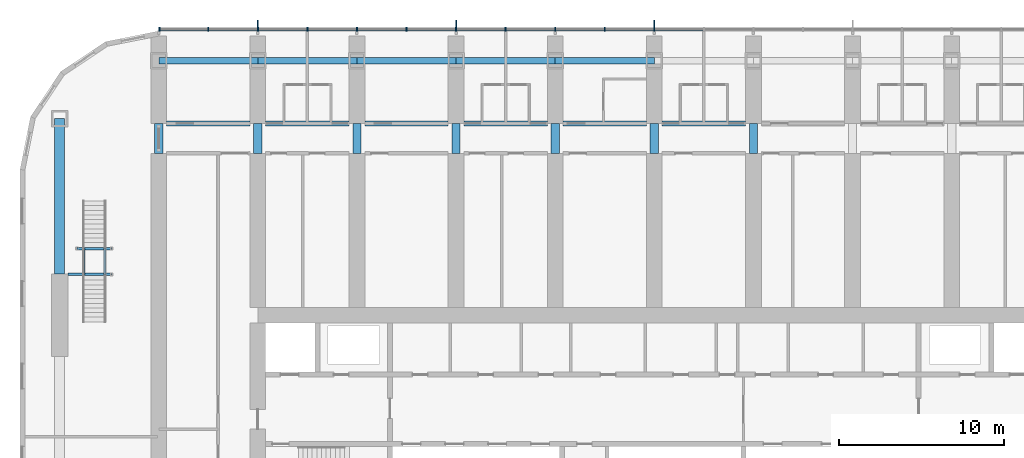
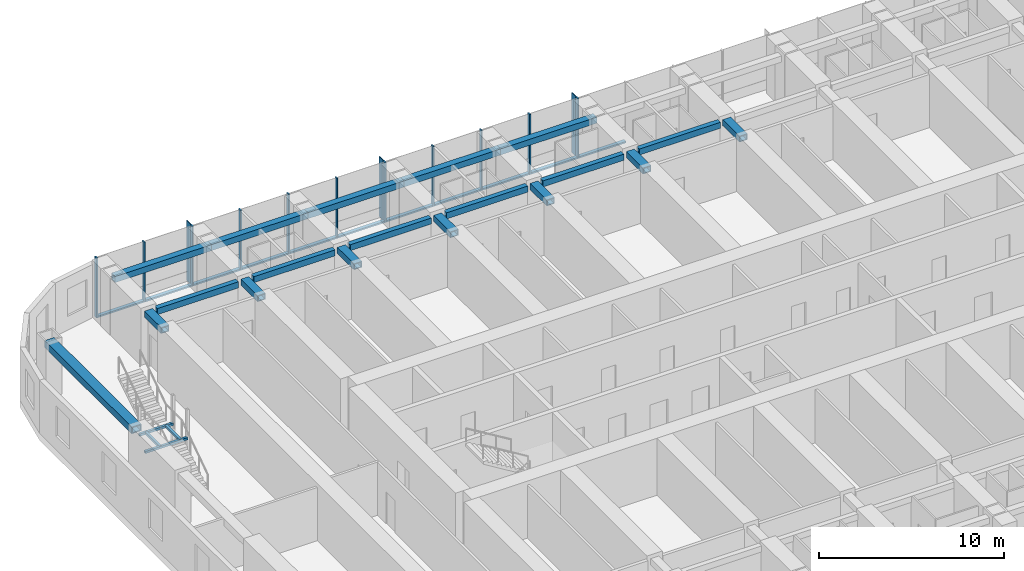
# One storey, part 6 of 25: 25 members, 23 beams, 1 element without a shape of its own.
"""IFC4 building model written with IfcOpenShell, lengths in metres."""

from ifc_helpers import new_model, si_unit, direction, frame, origin, origin_2d, place, context, subcontext, project, spatial, rectangle, hollow_rectangle, extrude, material, material_profile, profile_set, type_object, element, aggregate, save


model = new_model("IFC4")

# Units and contexts
model_context = context("Model", 3, precision=1e-05, world=origin(), true_north=direction((0.0, 1.0)))
body_context = subcontext(model_context, "Body", "Model", "MODEL_VIEW")
ifc_project = project(units=[si_unit("LENGTHUNIT", "METRE"), si_unit("AREAUNIT", "SQUARE_METRE"), si_unit("VOLUMEUNIT", "CUBIC_METRE"), si_unit("PLANEANGLEUNIT", "RADIAN"), si_unit("MASSUNIT", "GRAM", prefix="KILO")], contexts=[model_context])

# Site, building, storey
site_placement = place(None, origin())
site = spatial("IfcSite", under=ifc_project, at=site_placement, CompositionType="ELEMENT")
building_placement = place(site_placement, origin())
building = spatial("IfcBuilding", under=site, at=building_placement, Name="Orbita Commons", CompositionType="ELEMENT")
storey_placement = place(building_placement, frame((0.0, 0.0, 99.39990234375)))
storey = spatial("IfcBuildingStorey", under=building, at=storey_placement, Name="L24", CompositionType="ELEMENT", Elevation=99.39990234375)

# Curtain wall, members
ifc_material_1 = material(Name="Anodised aluminium frame, pale silver", Category="aluminium")
curtain_wall_type = type_object("IfcCurtainWallType", Name="Unitised curtain wall CW-T, vision and spandrel", PredefinedType="NOTDEFINED", material=ifc_material_1)
curtain_wall_placement = place(storey_placement, origin())
curtain_wall = element("IfcCurtainWall", 1, at=curtain_wall_placement, inside=storey, type_object=curtain_wall_type, Name="Curtain wall north L24", PredefinedType="NOTDEFINED")
ifc_material_2 = material(Name="Anodised aluminium, pale silver", Category="aluminium")
ifc_material_profile_1 = material_profile(ifc_material_2, rectangle(XDim=0.080078125, YDim=0.219970703125, at=origin_2d()), Name="AL 80x220")
ifc_profile_set_1 = profile_set([ifc_material_profile_1], Name="Anodised aluminium, pale silver")
member_type_1 = type_object("IfcMemberType", Name="Curtain wall mullion 80x220", PredefinedType="MULLION", material=ifc_profile_set_1)
member_1_placement = place(storey_placement, frame((42.0, 55.510009765625, -0.449951171875), z_axis=(0.0, 0.0, 1.0), x_axis=(-1.0, 0.0, 0.0)))
member_1 = element("IfcMember", 2, at=member_1_placement, type_object=member_type_1, Name="Mullion 9 CW-L24-N", PredefinedType="MULLION", context=body_context, shape_type="SweptSolid", body=[
    extrude(rectangle(XDim=0.080078125, YDim=0.219970703125, at=origin_2d()), origin(), (0.0, 0.0, 1.0), 3.949951171875),
])
member_2_placement = place(storey_placement, frame((39.0, 55.510009765625, -0.449951171875), z_axis=(0.0, 0.0, 1.0), x_axis=(-1.0, 0.0, 0.0)))
member_2 = element("IfcMember", 3, at=member_2_placement, type_object=member_type_1, Name="Mullion 10 CW-L24-N", PredefinedType="MULLION", context=body_context, shape_type="SweptSolid", body=[
    extrude(rectangle(XDim=0.080078125, YDim=0.219970703125, at=origin_2d()), origin(), (0.0, 0.0, 1.0), 3.949951171875),
])
member_3_placement = place(storey_placement, frame((36.0, 55.510009765625, -0.449951171875), z_axis=(0.0, 0.0, 1.0), x_axis=(-1.0, 0.0, 0.0)))
member_3 = element("IfcMember", 4, at=member_3_placement, type_object=member_type_1, Name="Mullion 11 CW-L24-N", PredefinedType="MULLION", context=body_context, shape_type="SweptSolid", body=[
    extrude(rectangle(XDim=0.080078125, YDim=0.219970703125, at=origin_2d()), origin(), (0.0, 0.0, 1.0), 3.949951171875),
])
member_4_placement = place(storey_placement, frame((33.0, 55.510009765625, -0.449951171875), z_axis=(0.0, 0.0, 1.0), x_axis=(-1.0, 0.0, 0.0)))
member_4 = element("IfcMember", 5, at=member_4_placement, type_object=member_type_1, Name="Mullion 12 CW-L24-N", PredefinedType="MULLION", context=body_context, shape_type="SweptSolid", body=[
    extrude(rectangle(XDim=0.080078125, YDim=0.219970703125, at=origin_2d()), origin(), (0.0, 0.0, 1.0), 3.949951171875),
])
member_5_placement = place(storey_placement, frame((30.0, 55.510009765625, -0.449951171875), z_axis=(0.0, 0.0, 1.0), x_axis=(-1.0, 0.0, 0.0)))
member_5 = element("IfcMember", 6, at=member_5_placement, type_object=member_type_1, Name="Mullion 13 CW-L24-N", PredefinedType="MULLION", context=body_context, shape_type="SweptSolid", body=[
    extrude(rectangle(XDim=0.080078125, YDim=0.219970703125, at=origin_2d()), origin(), (0.0, 0.0, 1.0), 3.949951171875),
])
member_6_placement = place(storey_placement, frame((27.0, 55.510009765625, -0.449951171875), z_axis=(0.0, 0.0, 1.0), x_axis=(-1.0, 0.0, 0.0)))
member_6 = element("IfcMember", 7, at=member_6_placement, type_object=member_type_1, Name="Mullion 14 CW-L24-N", PredefinedType="MULLION", context=body_context, shape_type="SweptSolid", body=[
    extrude(rectangle(XDim=0.080078125, YDim=0.219970703125, at=origin_2d()), origin(), (0.0, 0.0, 1.0), 3.949951171875),
])
member_7_placement = place(storey_placement, frame((24.0, 55.510009765625, -0.449951171875), z_axis=(0.0, 0.0, 1.0), x_axis=(-1.0, 0.0, 0.0)))
member_7 = element("IfcMember", 8, at=member_7_placement, type_object=member_type_1, Name="Mullion 15 CW-L24-N", PredefinedType="MULLION", context=body_context, shape_type="SweptSolid", body=[
    extrude(rectangle(XDim=0.080078125, YDim=0.219970703125, at=origin_2d()), origin(), (0.0, 0.0, 1.0), 3.949951171875),
])
member_8_placement = place(storey_placement, frame((21.0, 55.510009765625, -0.449951171875), z_axis=(0.0, 0.0, 1.0), x_axis=(-1.0, 0.0, 0.0)))
member_8 = element("IfcMember", 9, at=member_8_placement, type_object=member_type_1, Name="Mullion 16 CW-L24-N", PredefinedType="MULLION", context=body_context, shape_type="SweptSolid", body=[
    extrude(rectangle(XDim=0.080078125, YDim=0.219970703125, at=origin_2d()), origin(), (0.0, 0.0, 1.0), 3.949951171875),
])
member_9_placement = place(storey_placement, frame((18.0, 55.510009765625, -0.449951171875), z_axis=(0.0, 0.0, 1.0), x_axis=(-1.0, 0.0, 0.0)))
member_9 = element("IfcMember", 10, at=member_9_placement, type_object=member_type_1, Name="Mullion 17 CW-L24-N", PredefinedType="MULLION", context=body_context, shape_type="SweptSolid", body=[
    extrude(rectangle(XDim=0.080078125, YDim=0.219970703125, at=origin_2d()), origin(), (0.0, 0.0, 1.0), 3.949951171875),
])
member_10_placement = place(storey_placement, frame((15.0, 55.510009765625, -0.449951171875), z_axis=(0.0, 0.0, 1.0), x_axis=(-1.0, 0.0, 0.0)))
member_10 = element("IfcMember", 11, at=member_10_placement, type_object=member_type_1, Name="Mullion 18 CW-L24-N", PredefinedType="MULLION", context=body_context, shape_type="SweptSolid", body=[
    extrude(rectangle(XDim=0.080078125, YDim=0.219970703125, at=origin_2d()), origin(), (0.0, 0.0, 1.0), 3.949951171875),
])
member_11_placement = place(storey_placement, frame((12.0400390625, 55.510009765625, -0.449951171875), z_axis=(0.0, 0.0, 1.0), x_axis=(-1.0, 0.0, 0.0)))
member_11 = element("IfcMember", 12, at=member_11_placement, type_object=member_type_1, Name="Mullion 19 CW-L24-N", PredefinedType="MULLION", context=body_context, shape_type="SweptSolid", body=[
    extrude(rectangle(XDim=0.080078125, YDim=0.219970703125, at=origin_2d()), origin(), (0.0, 0.0, 1.0), 3.949951171875),
])
ifc_material_3 = material(Name="Anodised aluminium, pale silver", Category="aluminium")
ifc_material_profile_2 = material_profile(ifc_material_3, rectangle(XDim=0.219970703125, YDim=0.10009765625, at=origin_2d()), Name="AL 220x100")
ifc_profile_set_2 = profile_set([ifc_material_profile_2], Name="Anodised aluminium, pale silver")
member_type_2 = type_object("IfcMemberType", Name="Curtain wall stack transom 220x100", PredefinedType="USERDEFINED", material=ifc_profile_set_2)
member_12_placement = place(storey_placement, frame((44.9599609375, 55.510009765625, -0.39990234375), z_axis=(-1.0, 0.0, 0.0), x_axis=(0.0, -1.0, 0.0)))
member_12 = element("IfcMember", 13, at=member_12_placement, type_object=member_type_2, Name="Transom 8.1 CW-L24-N", ObjectType="TRANSOM", PredefinedType="USERDEFINED", context=body_context, shape_type="SweptSolid", body=[
    extrude(rectangle(XDim=0.219970703125, YDim=0.10009765625, at=origin_2d()), origin(), (0.0, 0.0, 1.0), 2.919921875),
])
member_13_placement = place(storey_placement, frame((41.9599609375, 55.510009765625, -0.39990234375), z_axis=(-1.0, 0.0, 0.0), x_axis=(0.0, -1.0, 0.0)))
member_13 = element("IfcMember", 14, at=member_13_placement, type_object=member_type_2, Name="Transom 9.1 CW-L24-N", ObjectType="TRANSOM", PredefinedType="USERDEFINED", context=body_context, shape_type="SweptSolid", body=[
    extrude(rectangle(XDim=0.219970703125, YDim=0.10009765625, at=origin_2d()), origin(), (0.0, 0.0, 1.0), 2.919921875),
])
member_14_placement = place(storey_placement, frame((38.9599609375, 55.510009765625, -0.39990234375), z_axis=(-1.0, 0.0, 0.0), x_axis=(0.0, -1.0, 0.0)))
member_14 = element("IfcMember", 15, at=member_14_placement, type_object=member_type_2, Name="Transom 10.1 CW-L24-N", ObjectType="TRANSOM", PredefinedType="USERDEFINED", context=body_context, shape_type="SweptSolid", body=[
    extrude(rectangle(XDim=0.219970703125, YDim=0.10009765625, at=origin_2d()), origin(), (0.0, 0.0, 1.0), 2.919921875),
])
member_15_placement = place(storey_placement, frame((35.9599609375, 55.510009765625, -0.39990234375), z_axis=(-1.0, 0.0, 0.0), x_axis=(0.0, -1.0, 0.0)))
member_15 = element("IfcMember", 16, at=member_15_placement, type_object=member_type_2, Name="Transom 11.1 CW-L24-N", ObjectType="TRANSOM", PredefinedType="USERDEFINED", context=body_context, shape_type="SweptSolid", body=[
    extrude(rectangle(XDim=0.219970703125, YDim=0.10009765625, at=origin_2d()), origin(), (0.0, 0.0, 1.0), 2.919921875),
])
member_16_placement = place(storey_placement, frame((32.9599609375, 55.510009765625, -0.39990234375), z_axis=(-1.0, 0.0, 0.0), x_axis=(0.0, -1.0, 0.0)))
member_16 = element("IfcMember", 17, at=member_16_placement, type_object=member_type_2, Name="Transom 12.1 CW-L24-N", ObjectType="TRANSOM", PredefinedType="USERDEFINED", context=body_context, shape_type="SweptSolid", body=[
    extrude(rectangle(XDim=0.219970703125, YDim=0.10009765625, at=origin_2d()), origin(), (0.0, 0.0, 1.0), 2.919921875),
])
member_17_placement = place(storey_placement, frame((29.9599609375, 55.510009765625, -0.39990234375), z_axis=(-1.0, 0.0, 0.0), x_axis=(0.0, -1.0, 0.0)))
member_17 = element("IfcMember", 18, at=member_17_placement, type_object=member_type_2, Name="Transom 13.1 CW-L24-N", ObjectType="TRANSOM", PredefinedType="USERDEFINED", context=body_context, shape_type="SweptSolid", body=[
    extrude(rectangle(XDim=0.219970703125, YDim=0.10009765625, at=origin_2d()), origin(), (0.0, 0.0, 1.0), 2.919921875),
])
member_18_placement = place(storey_placement, frame((26.9599609375, 55.510009765625, -0.39990234375), z_axis=(-1.0, 0.0, 0.0), x_axis=(0.0, -1.0, 0.0)))
member_18 = element("IfcMember", 19, at=member_18_placement, type_object=member_type_2, Name="Transom 14.1 CW-L24-N", ObjectType="TRANSOM", PredefinedType="USERDEFINED", context=body_context, shape_type="SweptSolid", body=[
    extrude(rectangle(XDim=0.219970703125, YDim=0.10009765625, at=origin_2d()), origin(), (0.0, 0.0, 1.0), 2.919921875),
])
member_19_placement = place(storey_placement, frame((23.9599609375, 55.510009765625, -0.39990234375), z_axis=(-1.0, 0.0, 0.0), x_axis=(0.0, -1.0, 0.0)))
member_19 = element("IfcMember", 20, at=member_19_placement, type_object=member_type_2, Name="Transom 15.1 CW-L24-N", ObjectType="TRANSOM", PredefinedType="USERDEFINED", context=body_context, shape_type="SweptSolid", body=[
    extrude(rectangle(XDim=0.219970703125, YDim=0.10009765625, at=origin_2d()), origin(), (0.0, 0.0, 1.0), 2.919921875),
])
member_20_placement = place(storey_placement, frame((20.9599609375, 55.510009765625, -0.39990234375), z_axis=(-1.0, 0.0, 0.0), x_axis=(0.0, -1.0, 0.0)))
member_20 = element("IfcMember", 21, at=member_20_placement, type_object=member_type_2, Name="Transom 16.1 CW-L24-N", ObjectType="TRANSOM", PredefinedType="USERDEFINED", context=body_context, shape_type="SweptSolid", body=[
    extrude(rectangle(XDim=0.219970703125, YDim=0.10009765625, at=origin_2d()), origin(), (0.0, 0.0, 1.0), 2.919921875),
])
member_21_placement = place(storey_placement, frame((17.9599609375, 55.510009765625, -0.39990234375), z_axis=(-1.0, 0.0, 0.0), x_axis=(0.0, -1.0, 0.0)))
member_21 = element("IfcMember", 22, at=member_21_placement, type_object=member_type_2, Name="Transom 17.1 CW-L24-N", ObjectType="TRANSOM", PredefinedType="USERDEFINED", context=body_context, shape_type="SweptSolid", body=[
    extrude(rectangle(XDim=0.219970703125, YDim=0.10009765625, at=origin_2d()), origin(), (0.0, 0.0, 1.0), 2.919921875),
])
member_22_placement = place(storey_placement, frame((14.9599609375, 55.510009765625, -0.39990234375), z_axis=(-1.0, 0.0, 0.0), x_axis=(0.0, -1.0, 0.0)))
member_22 = element("IfcMember", 23, at=member_22_placement, type_object=member_type_2, Name="Transom 18.1 CW-L24-N", ObjectType="TRANSOM", PredefinedType="USERDEFINED", context=body_context, shape_type="SweptSolid", body=[
    extrude(rectangle(XDim=0.219970703125, YDim=0.10009765625, at=origin_2d()), origin(), (0.0, 0.0, 1.0), 2.8798828125),
])

# Beams
ifc_material_4 = material(Name="Steel ASTM A992", Category="steel")
ifc_material_profile_3 = material_profile(ifc_material_4, hollow_rectangle(XDim=0.14990234375, YDim=0.14990234375, WallThickness=0.008056640625, at=origin_2d()), Name="SHS 150x150x8")
ifc_profile_set_3 = profile_set([ifc_material_profile_3], Name="Steel ASTM A992")
beam_type_1 = type_object("IfcBeamType", Name="Landing frame beam SHS 150x150x8", PredefinedType="BEAM", material=ifc_profile_set_3)
beam_1_placement = place(storey_placement, frame((6.5, 40.675048828125, 1.60009765625), z_axis=(1.0, 0.0, 0.0), x_axis=(0.0, 1.0, 0.0)))
element("IfcBeam", 24, at=beam_1_placement, inside=storey, type_object=beam_type_1, Name="Neighbourhood stair L24 to L25 landing frame beam 1", PredefinedType="BEAM", context=body_context, shape_type="SweptSolid", body=[
    extrude(hollow_rectangle(XDim=0.14990234375, YDim=0.14990234375, WallThickness=0.008056640625, at=origin_2d()), origin(), (0.0, 0.0, 1.0), 2.64990234375),
])
beam_2_placement = place(storey_placement, frame((7.050048828125, 42.235107421875, 1.60009765625), z_axis=(1.0, 0.0, 0.0), x_axis=(0.0, 1.0, 0.0)))
element("IfcBeam", 25, at=beam_2_placement, inside=storey, type_object=beam_type_1, Name="Neighbourhood stair L24 to L25 landing frame beam 2", PredefinedType="BEAM", context=body_context, shape_type="SweptSolid", body=[
    extrude(hollow_rectangle(XDim=0.14990234375, YDim=0.14990234375, WallThickness=0.008056640625, at=origin_2d()), origin(), (0.0, 0.0, 1.0), 2.099853515625),
])
for number, where, z_axis, x_axis, name in (
    (26, (7.47509765625, 40.675048828125, 1.60009765625), (0.0, 1.0, 0.0), (-1.0, 0.0, 0.0), "Neighbourhood stair L24 to L25 landing frame beam 3"),
    (27, (8.72509765625, 40.675048828125, 1.60009765625), (0.0, 1.0, 0.0), (-1.0, 0.0, 0.0), "Neighbourhood stair L24 to L25 landing frame beam 4"),
):
    element("IfcBeam", number, at=place(storey_placement, frame(where, z_axis=z_axis, x_axis=x_axis)), inside=storey, type_object=beam_type_1, Name=name, PredefinedType="BEAM", context=body_context, shape_type="SweptSolid", body=[
        extrude(hollow_rectangle(XDim=0.14990234375, YDim=0.14990234375, WallThickness=0.008056640625, at=origin_2d()), origin(), (0.0, 0.0, 1.0), 1.56005859375),
    ])
ifc_material_5 = material(Name="Steel ASTM A572 Gr 50 welded plate", Category="steel")
ifc_material_profile_4 = material_profile(ifc_material_5, hollow_rectangle(XDim=0.300048828125, YDim=0.39990234375, WallThickness=0.0400390625, at=origin_2d()), Name="BOX 400x300x40")
ifc_profile_set_4 = profile_set([ifc_material_profile_4], Name="Steel ASTM A572 Gr 50 welded plate")
beam_type_2 = type_object("IfcBeamType", Name="Steel corridor link BOX 400x300x40", PredefinedType="BEAM", material=ifc_profile_set_4)
for number, where, z_axis, x_axis, name in (
    (28, (12.47509765625, 49.800048828125, 3.300048828125), (1.0, 0.0, 0.0), (0.0, 1.0, 0.0), "Corridor beam NB 3-4 L24"),
    (29, (18.47509765625, 49.800048828125, 3.300048828125), (1.0, 0.0, 0.0), (0.0, 1.0, 0.0), "Corridor beam NB 4-5 L24"),
    (30, (24.47509765625, 49.800048828125, 3.300048828125), (1.0, 0.0, 0.0), (0.0, 1.0, 0.0), "Corridor beam NB 5-6 L24"),
    (31, (30.47509765625, 49.800048828125, 3.300048828125), (1.0, 0.0, 0.0), (0.0, 1.0, 0.0), "Corridor beam NB 6-7 L24"),
    (32, (36.47509765625, 49.800048828125, 3.300048828125), (1.0, 0.0, 0.0), (0.0, 1.0, 0.0), "Corridor beam NB 7-8 L24"),
    (33, (42.47509765625, 49.800048828125, 3.300048828125), (1.0, 0.0, 0.0), (0.0, 1.0, 0.0), "Corridor beam NB 8-9 L24"),
):
    element("IfcBeam", number, at=place(storey_placement, frame(where, z_axis=z_axis, x_axis=x_axis)), inside=storey, type_object=beam_type_2, Name=name, PredefinedType="BEAM", context=body_context, shape_type="SweptSolid", body=[
        extrude(hollow_rectangle(XDim=0.300048828125, YDim=0.39990234375, WallThickness=0.0400390625, at=origin_2d()), origin(), (0.0, 0.0, 1.0), 5.0498046875),
    ])
ifc_material_6 = material(Name="Steel ASTM A572 Gr 50 welded plate", Category="steel")
ifc_material_profile_5 = material_profile(ifc_material_6, hollow_rectangle(XDim=0.5, YDim=0.39990234375, WallThickness=0.050048828125, at=origin_2d()), Name="BOX 400x500x50")
ifc_profile_set_5 = profile_set([ifc_material_profile_5], Name="Steel ASTM A572 Gr 50 welded plate")
beam_type_3 = type_object("IfcBeamType", Name="Steel coupling link BOX 400x500x50", PredefinedType="LINTEL", material=ifc_profile_set_5)
for number, where, z_axis, x_axis, name in (
    (34, (12.0, 48.0, 3.300048828125), (0.0, 1.0, 0.0), (-1.0, 0.0, 0.0), "Coupling beam 3 north L24"),
    (35, (18.0, 48.0, 3.300048828125), (0.0, 1.0, 0.0), (-1.0, 0.0, 0.0), "Coupling beam 4 north L24"),
    (36, (24.0, 48.0, 3.300048828125), (0.0, 1.0, 0.0), (-1.0, 0.0, 0.0), "Coupling beam 5 north L24"),
    (37, (30.0, 48.0, 3.300048828125), (0.0, 1.0, 0.0), (-1.0, 0.0, 0.0), "Coupling beam 6 north L24"),
    (38, (36.0, 48.0, 3.300048828125), (0.0, 1.0, 0.0), (-1.0, 0.0, 0.0), "Coupling beam 7 north L24"),
    (39, (42.0, 48.0, 3.300048828125), (0.0, 1.0, 0.0), (-1.0, 0.0, 0.0), "Coupling beam 8 north L24"),
    (40, (48.0, 48.0, 3.300048828125), (0.0, 1.0, 0.0), (-1.0, 0.0, 0.0), "Coupling beam 9 north L24"),
):
    element("IfcBeam", number, at=place(storey_placement, frame(where, z_axis=z_axis, x_axis=x_axis)), inside=storey, type_object=beam_type_3, Name=name, PredefinedType="LINTEL", context=body_context, shape_type="SweptSolid", body=[
        extrude(hollow_rectangle(XDim=0.5, YDim=0.39990234375, WallThickness=0.050048828125, at=origin_2d()), origin(), (0.0, 0.0, 1.0), 1.800048828125),
    ])
ifc_material_7 = material(Name="Steel ASTM A572 Gr 50 welded plate", Category="steel")
ifc_material_profile_6 = material_profile(ifc_material_7, hollow_rectangle(XDim=0.60009765625, YDim=0.449951171875, WallThickness=0.06005859375, at=origin_2d()), Name="BOX 450x600x60")
ifc_profile_set_6 = profile_set([ifc_material_profile_6], Name="Steel ASTM A572 Gr 50 welded plate")
beam_type_4 = type_object("IfcBeamType", Name="Steel end frame link BOX 450x600x60", PredefinedType="BEAM", material=ifc_profile_set_6)
beam_3_placement = place(storey_placement, frame((6.0, 40.699951171875, 3.275146484375), z_axis=(0.0, 1.0, 0.0), x_axis=(-1.0, 0.0, 0.0)))
element("IfcBeam", 41, at=beam_3_placement, inside=storey, type_object=beam_type_4, Name="End frame beam 2 D-E L24", PredefinedType="BEAM", context=body_context, shape_type="SweptSolid", body=[
    extrude(hollow_rectangle(XDim=0.60009765625, YDim=0.449951171875, WallThickness=0.06005859375, at=origin_2d()), origin(), (0.0, 0.0, 1.0), 9.400146484375),
])
ifc_material_8 = material(Name="Steel ASTM A572 Gr 50 welded plate", Category="steel")
ifc_material_profile_7 = material_profile(ifc_material_8, hollow_rectangle(XDim=0.39990234375, YDim=0.39990234375, WallThickness=0.0400390625, at=origin_2d()), Name="BOX 400x400x40")
ifc_profile_set_7 = profile_set([ifc_material_profile_7], Name="Steel ASTM A572 Gr 50 welded plate")
beam_type_5 = type_object("IfcBeamType", Name="Steel spandrel BOX 400x400x40", PredefinedType="SPANDREL", material=ifc_profile_set_7)
for number, where, z_axis, x_axis, name in (
    (42, (12.0, 53.60009765625, 3.300048828125), (1.0, 0.0, 0.0), (0.0, 1.0, 0.0), "Spandrel beam E 3-4 L24"),
    (43, (18.0, 53.60009765625, 3.300048828125), (1.0, 0.0, 0.0), (0.0, 1.0, 0.0), "Spandrel beam E 4-5 L24"),
    (44, (24.0, 53.60009765625, 3.300048828125), (1.0, 0.0, 0.0), (0.0, 1.0, 0.0), "Spandrel beam E 5-6 L24"),
    (45, (30.0, 53.60009765625, 3.300048828125), (1.0, 0.0, 0.0), (0.0, 1.0, 0.0), "Spandrel beam E 6-7 L24"),
    (46, (36.0, 53.60009765625, 3.300048828125), (1.0, 0.0, 0.0), (0.0, 1.0, 0.0), "Spandrel beam E 7-8 L24"),
):
    element("IfcBeam", number, at=place(storey_placement, frame(where, z_axis=z_axis, x_axis=x_axis)), inside=storey, type_object=beam_type_5, Name=name, PredefinedType="SPANDREL", context=body_context, shape_type="SweptSolid", body=[
        extrude(hollow_rectangle(XDim=0.39990234375, YDim=0.39990234375, WallThickness=0.0400390625, at=origin_2d()), origin(), (0.0, 0.0, 1.0), 6.0),
    ])

# Member
ifc_material_9 = material(Name="Anodised aluminium, pale silver", Category="aluminium")
ifc_material_profile_8 = material_profile(ifc_material_9, rectangle(XDim=0.06005859375, YDim=0.449951171875, at=origin_2d()), Name="FIN 60x450")
ifc_profile_set_8 = profile_set([ifc_material_profile_8], Name="Anodised aluminium, pale silver")
member_type_3 = type_object("IfcMemberType", Name="Vertical fin 60x450 pale aluminium", PredefinedType="USERDEFINED", material=ifc_profile_set_8)
member_23_placement = place(storey_placement, frame((42.0, 55.844970703125, -0.449951171875), z_axis=(0.0, 0.0, 1.0), x_axis=(-1.0, 0.0, 0.0)))
member_23 = element("IfcMember", 47, at=member_23_placement, type_object=member_type_3, Name="Fin 9 CW-L24-N", ObjectType="FIN", PredefinedType="USERDEFINED", context=body_context, shape_type="SweptSolid", body=[
    extrude(rectangle(XDim=0.06005859375, YDim=0.449951171875, at=origin_2d()), origin(), (0.0, 0.0, 1.0), 3.949951171875),
])

member_24_placement = place(storey_placement, frame((30.0, 55.844970703125, -0.449951171875), z_axis=(0.0, 0.0, 1.0), x_axis=(-1.0, 0.0, 0.0)))
member_24 = element("IfcMember", 48, at=member_24_placement, type_object=member_type_3, Name="Fin 13 CW-L24-N", ObjectType="FIN", PredefinedType="USERDEFINED", context=body_context, shape_type="SweptSolid", body=[
    extrude(rectangle(XDim=0.06005859375, YDim=0.449951171875, at=origin_2d()), origin(), (0.0, 0.0, 1.0), 3.949951171875),
])

member_25_placement = place(storey_placement, frame((18.0, 55.844970703125, -0.449951171875), z_axis=(0.0, 0.0, 1.0), x_axis=(-1.0, 0.0, 0.0)))
member_25 = element("IfcMember", 49, at=member_25_placement, type_object=member_type_3, Name="Fin 17 CW-L24-N", ObjectType="FIN", PredefinedType="USERDEFINED", context=body_context, shape_type="SweptSolid", body=[
    extrude(rectangle(XDim=0.06005859375, YDim=0.449951171875, at=origin_2d()), origin(), (0.0, 0.0, 1.0), 3.949951171875),
])

aggregate(curtain_wall, [member_1, member_23, member_2, member_3, member_4, member_5, member_24, member_6, member_7, member_8, member_9, member_25, member_10, member_11, member_12, member_13, member_14, member_15, member_16, member_17, member_18, member_19, member_20, member_21, member_22])

save(model, "model.ifc")
